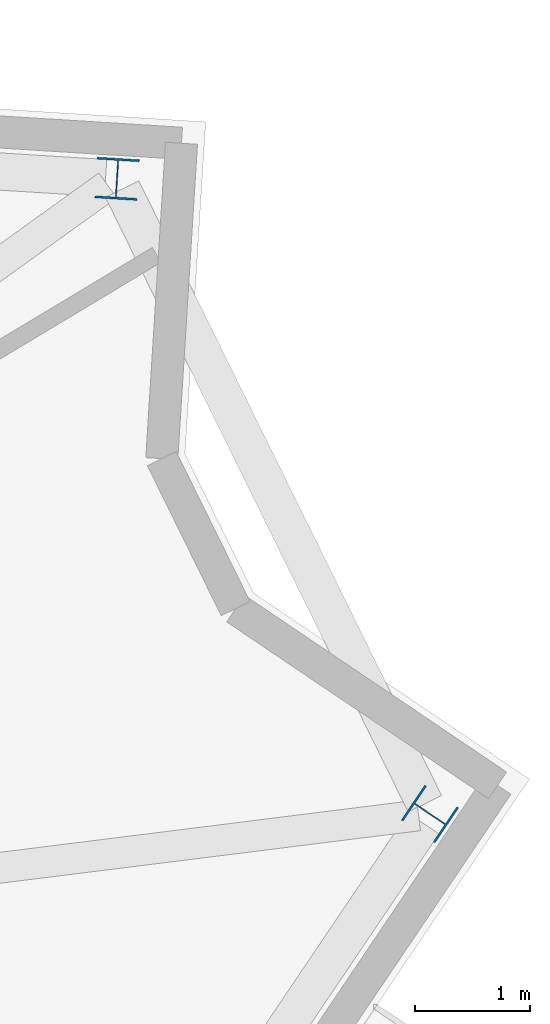
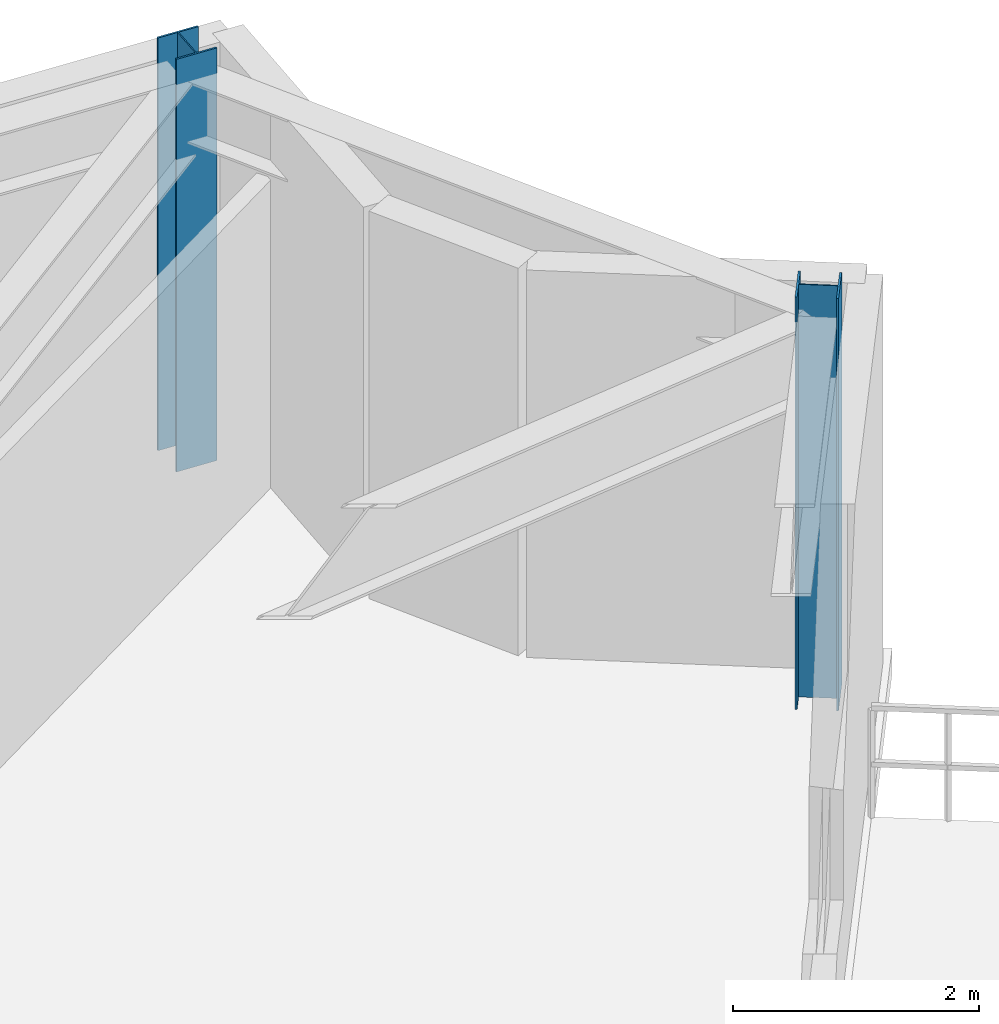
# One storey, part 3 of 10: 2 columns.
"""IFC4 building model written with IfcOpenShell, lengths in metres."""

from ifc_helpers import new_model, si_unit, direction, frame, origin, origin_2d, place, context, subcontext, project, spatial, i_section, extrude, material, material_profile, profile_set, type_object, element, save


model = new_model("IFC4")

# Units and contexts
model_context = context("Model", 3, precision=1e-05, world=origin(), true_north=direction((0.0, 1.0)))
body_context = subcontext(model_context, "Body", "Model", "MODEL_VIEW")
ifc_project = project(units=[si_unit("LENGTHUNIT", "METRE"), si_unit("AREAUNIT", "SQUARE_METRE"), si_unit("VOLUMEUNIT", "CUBIC_METRE"), si_unit("PLANEANGLEUNIT", "RADIAN"), si_unit("MASSUNIT", "GRAM", prefix="KILO")], contexts=[model_context])

# Site, building, storey
site_placement = place(None, origin())
site = spatial("IfcSite", under=ifc_project, at=site_placement, CompositionType="ELEMENT")
building_placement = place(site_placement, origin())
building = spatial("IfcBuilding", under=site, at=building_placement, Name="Apsidion Concourse Tower", CompositionType="ELEMENT")
storey_placement = place(building_placement, frame((0.0, 0.0, 298.300048828125)))
storey = spatial("IfcBuildingStorey", under=building, at=storey_placement, Name="L70", CompositionType="ELEMENT", Elevation=298.300048828125)

# Columns
ifc_material = material(Name="Structural steel ASTM A992 Grade 50", Category="steel")
ifc_material_profile = material_profile(ifc_material, i_section(OverallWidth=0.367919921875, OverallDepth=0.35595703125, WebThickness=0.01123046875, FlangeThickness=0.01806640625, at=origin_2d()), Name="W14X90")
ifc_profile_set = profile_set([ifc_material_profile], Name="Structural steel ASTM A992 Grade 50")
column_type = type_object("IfcColumnType", Name="COL-W14-90", PredefinedType="COLUMN", material=ifc_profile_set)
for number, where, z_axis, x_axis, name in (
    (1, (25.208984375, 8.83251953125, 0.0), (0.0, 0.0, 1.0), (0.559192903471, 0.829037572555, 0.0), "L70 Rotated Perimeter Column PC08"),
    (2, (22.47705078125, 14.378662109375, 0.0), (0.0, 0.0, 1.0), (-0.998081143466, 0.061919553109, 0.0), "L70 Rotated Perimeter Column PC09"),
):
    element("IfcColumn", number, at=place(storey_placement, frame(where, z_axis=z_axis, x_axis=x_axis)), inside=storey, type_object=column_type, Name=name, PredefinedType="COLUMN", context=body_context, shape_type="SweptSolid", body=[
        extrude(i_section(OverallWidth=0.367919921875, OverallDepth=0.35595703125, WebThickness=0.01123046875, FlangeThickness=0.01806640625, at=origin_2d()), origin(), (0.0, 0.0, 1.0), 4.099853515625),
    ])

save(model, "model.ifc")
